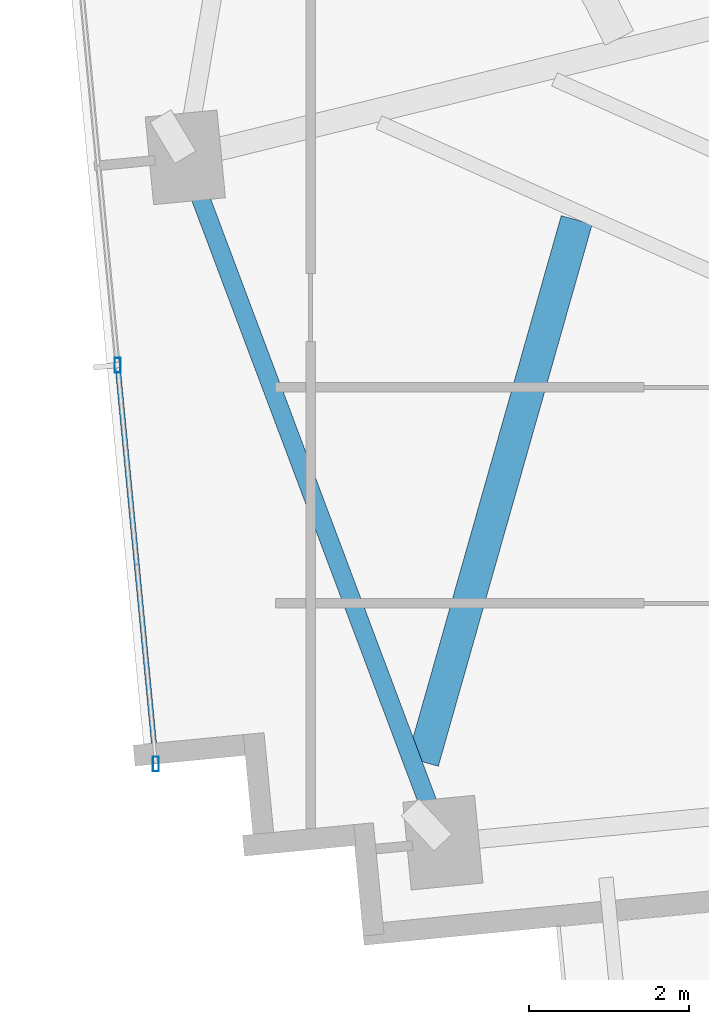
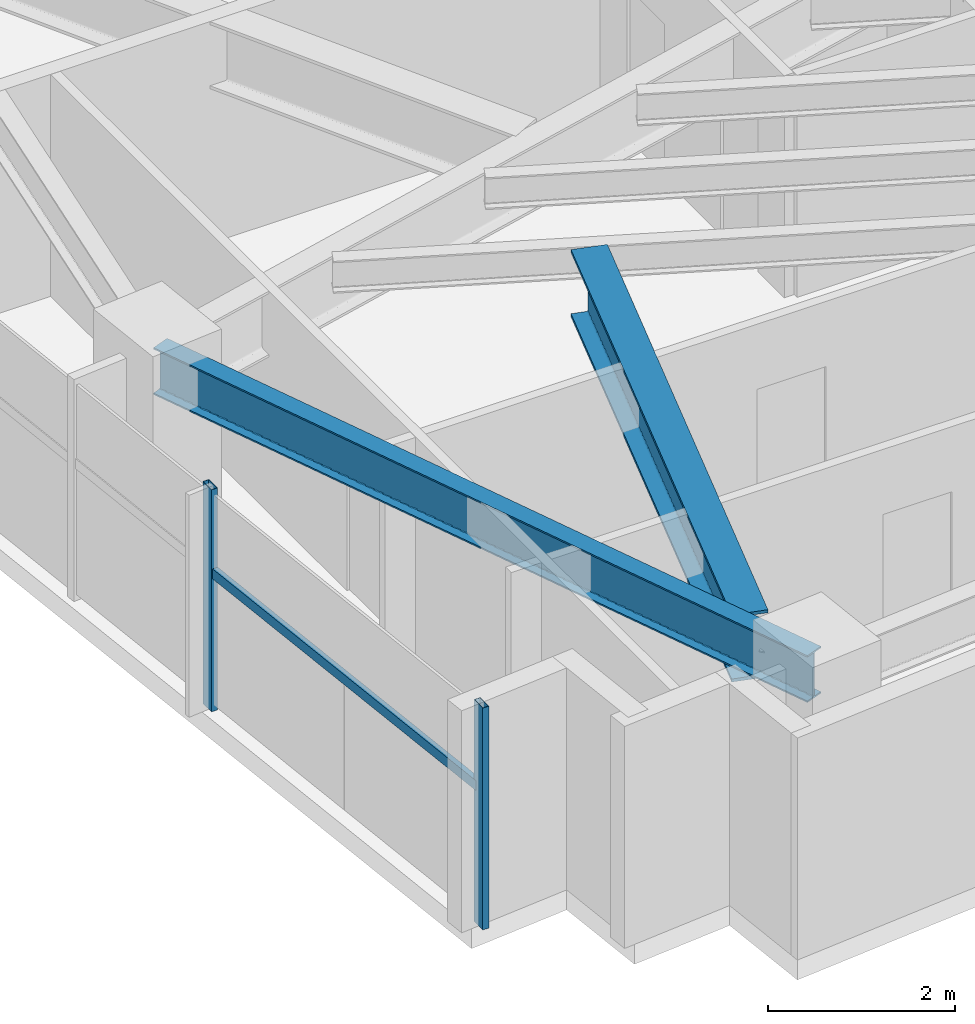
# One storey, part 2 of 27: 3 members, 2 beams, 1 element without a shape of its own.
"""IFC4 building model written with IfcOpenShell, lengths in metres."""

from ifc_helpers import new_model, si_unit, direction, frame, origin, origin_2d, place, context, subcontext, project, spatial, hollow_rectangle, i_section, extrude, source, transform, mapped, material, material_profile, profile_set, type_object, type_shapes, element, aggregate, save


model = new_model("IFC4")

# Units and contexts
model_context = context("Model", 3, precision=1e-05, world=origin(), true_north=direction((0.0, 1.0)))
body_context = subcontext(model_context, "Body", "Model", "MODEL_VIEW")
ifc_project = project(units=[si_unit("LENGTHUNIT", "METRE"), si_unit("AREAUNIT", "SQUARE_METRE"), si_unit("VOLUMEUNIT", "CUBIC_METRE"), si_unit("PLANEANGLEUNIT", "RADIAN"), si_unit("MASSUNIT", "GRAM", prefix="KILO")], contexts=[model_context])

# Site, building, storey
site_placement = place(None, origin())
site = spatial("IfcSite", under=ifc_project, at=site_placement, CompositionType="ELEMENT")
building_placement = place(site_placement, origin())
building = spatial("IfcBuilding", under=site, at=building_placement, Name="Astriad Promenade Condominiums", CompositionType="ELEMENT")
storey_placement = place(building_placement, frame((0.0, 0.0, 116.199951171875)))
storey = spatial("IfcBuildingStorey", under=building, at=storey_placement, Name="L33", CompositionType="ELEMENT", Elevation=116.199951171875)

# Beams
ifc_material_1 = material(Name="Steel ASTM A992 Grade 50", Category="steel")
ifc_material_profile_1 = material_profile(ifc_material_1, i_section(OverallWidth=0.22900390625, OverallDepth=0.612060546875, WebThickness=0.011962890625, FlangeThickness=0.01953125, FilletRadius=0.017822265625, at=origin_2d()), Name="W24X84")
ifc_profile_set_1 = profile_set([ifc_material_profile_1], Name="Steel ASTM A992 Grade 50")
beam_type_1 = type_object("IfcBeamType", Name="STEEL SPANDREL BEAM W24X84", PredefinedType="SPANDREL", material=ifc_profile_set_1)
shared_shape_1 = source(origin(), body_context, "Body", "SweptSolid", [
    extrude(i_section(OverallWidth=0.22900390625, OverallDepth=0.612060546875, WebThickness=0.011962890625, FlangeThickness=0.01953125, FilletRadius=0.017822265625, at=origin_2d()), origin(), (0.0, 0.0, 1.0), 9.055419921875),
])
type_shapes(beam_type_1, [shared_shape_1])
beam_1_placement = place(storey_placement, frame((10.765625, 13.523193359375, 2.593994140625), z_axis=(0.351864937141, -0.936050781748, 0.0), x_axis=(0.936050781748, 0.351864937141, 0.0)))
element("IfcBeam", 1, at=beam_1_placement, inside=storey, type_object=beam_type_1, Name="Perimeter Spandrel Beam SP-W1-L33", PredefinedType="SPANDREL", context=body_context, shape_type="MappedRepresentation", body=[
    mapped(shared_shape_1, transform((0.0, 0.0, 0.0), scale=1.0)),
])
ifc_material_profile_2 = material_profile(ifc_material_1, i_section(OverallWidth=0.4013671875, OverallDepth=0.877197265625, WebThickness=0.022216796875, FlangeThickness=0.039794921875, FilletRadius=0.02294921875, at=origin_2d()), Name="W33X263")
ifc_profile_set_2 = profile_set([ifc_material_profile_2], Name="Steel ASTM A992 Grade 50")
beam_type_2 = type_object("IfcBeamType", Name="STEEL TRANSFER CARRIER GIRDER W33X263", PredefinedType="BEAM", material=ifc_profile_set_2)
shared_shape_2 = source(origin(), body_context, "Body", "SweptSolid", [
    extrude(i_section(OverallWidth=0.4013671875, OverallDepth=0.877197265625, WebThickness=0.022216796875, FlangeThickness=0.039794921875, FilletRadius=0.02294921875, at=origin_2d()), origin(), (0.0, 0.0, 1.0), 7.02978515625),
])
type_shapes(beam_type_2, [shared_shape_2])
beam_2_placement = place(storey_placement, frame((15.635986328125, 12.779052734375, 2.46142578125), z_axis=(-0.273074046705, -0.961993017135, 0.0), x_axis=(0.961993017135, -0.273074046705, 0.0)))
element("IfcBeam", 2, at=beam_2_placement, inside=storey, type_object=beam_type_2, Name="Transfer Splice Carrier TRM-SP-PC01-L33", PredefinedType="BEAM", context=body_context, shape_type="MappedRepresentation", body=[
    mapped(shared_shape_2, transform((0.0, 0.0, 0.0), scale=1.0)),
])

# Curtain wall, members
ifc_material_2 = material(Name="Anodised aluminium Black Dark Glass Unitised", Category="aluminium")
curtain_wall_type = type_object("IfcCurtainWallType", Name="CW-B2-DARK", PredefinedType="USERDEFINED", material=ifc_material_2)
curtain_wall_placement = place(storey_placement, origin())
curtain_wall = element("IfcCurtainWall", 3, at=curtain_wall_placement, inside=storey, type_object=curtain_wall_type, Name="CW-L33-W", ObjectType="UNITISED_CURTAIN_WALL", PredefinedType="USERDEFINED")
ifc_material_3 = material(Name="Anodised aluminium 6063-T6 Black", Category="aluminium")
ifc_material_profile_3 = material_profile(ifc_material_3, hollow_rectangle(XDim=0.06494140625, YDim=0.1298828125, WallThickness=0.00390625, at=origin_2d()), Name="ALU-TRN-65X130")
ifc_profile_set_3 = profile_set([ifc_material_profile_3], Name="Anodised aluminium 6063-T6 Black")
member_type_1 = type_object("IfcMemberType", Name="TRN-ALU-TRN-65X130", PredefinedType="USERDEFINED", material=ifc_profile_set_3)
shared_shape_3 = source(origin(), body_context, "Body", "SweptSolid", [
    extrude(hollow_rectangle(XDim=0.06494140625, YDim=0.1298828125, WallThickness=0.00390625, at=origin_2d()), origin(), (0.0, 0.0, 1.0), 5.0),
])
type_shapes(member_type_1, [shared_shape_3])
member_1_placement = place(storey_placement, frame((10.385498046875, 5.99072265625, 1.798095703125), z_axis=(-0.095848242264, 0.995395958629, 0.0), x_axis=(-0.995395958629, -0.095848242264, 0.0)))
member_1 = element("IfcMember", 4, at=member_1_placement, type_object=member_type_1, Name="CW-L33-W-TRN-00-0", ObjectType="TRANSOM", PredefinedType="USERDEFINED", context=body_context, shape_type="MappedRepresentation", body=[
    mapped(shared_shape_3, transform((0.0, 0.0, 0.0), scale=1.0)),
])
ifc_material_profile_4 = material_profile(ifc_material_3, hollow_rectangle(XDim=0.074951171875, YDim=0.18505859375, WallThickness=0.00439453125, at=origin_2d()), Name="ALU-MUL-75X185")
ifc_profile_set_4 = profile_set([ifc_material_profile_4], Name="Anodised aluminium 6063-T6 Black")
member_type_2 = type_object("IfcMemberType", Name="MUL-ALU-MUL-75X185", PredefinedType="MULLION", material=ifc_profile_set_4)
shared_shape_4 = source(origin(), body_context, "Body", "SweptSolid", [
    extrude(hollow_rectangle(XDim=0.074951171875, YDim=0.18505859375, WallThickness=0.00439453125, at=origin_2d()), origin(), (0.0, 0.0, 1.0), 2.900146484375),
])
type_shapes(member_type_2, [shared_shape_4])
member_2_placement = place(storey_placement, frame((10.385498046875, 5.99072265625, 0.0), z_axis=(0.0, 0.0, 1.0), x_axis=(1.0, 0.0, 0.0)))
member_2 = element("IfcMember", 5, at=member_2_placement, type_object=member_type_2, Name="CW-L33-W-MUL-00", PredefinedType="MULLION", context=body_context, shape_type="MappedRepresentation", body=[
    mapped(shared_shape_4, transform((0.0, 0.0, 0.0), scale=1.0)),
])
member_3_placement = place(storey_placement, frame((9.90625, 10.9677734375, 0.0), z_axis=(0.0, 0.0, 1.0), x_axis=(1.0, 0.0, 0.0)))
member_3 = element("IfcMember", 6, at=member_3_placement, type_object=member_type_2, Name="CW-L33-W-MUL-01", PredefinedType="MULLION", context=body_context, shape_type="MappedRepresentation", body=[
    mapped(shared_shape_4, transform((0.0, 0.0, 0.0), scale=1.0)),
])
aggregate(curtain_wall, [member_2, member_3, member_1])

save(model, "model.ifc")
